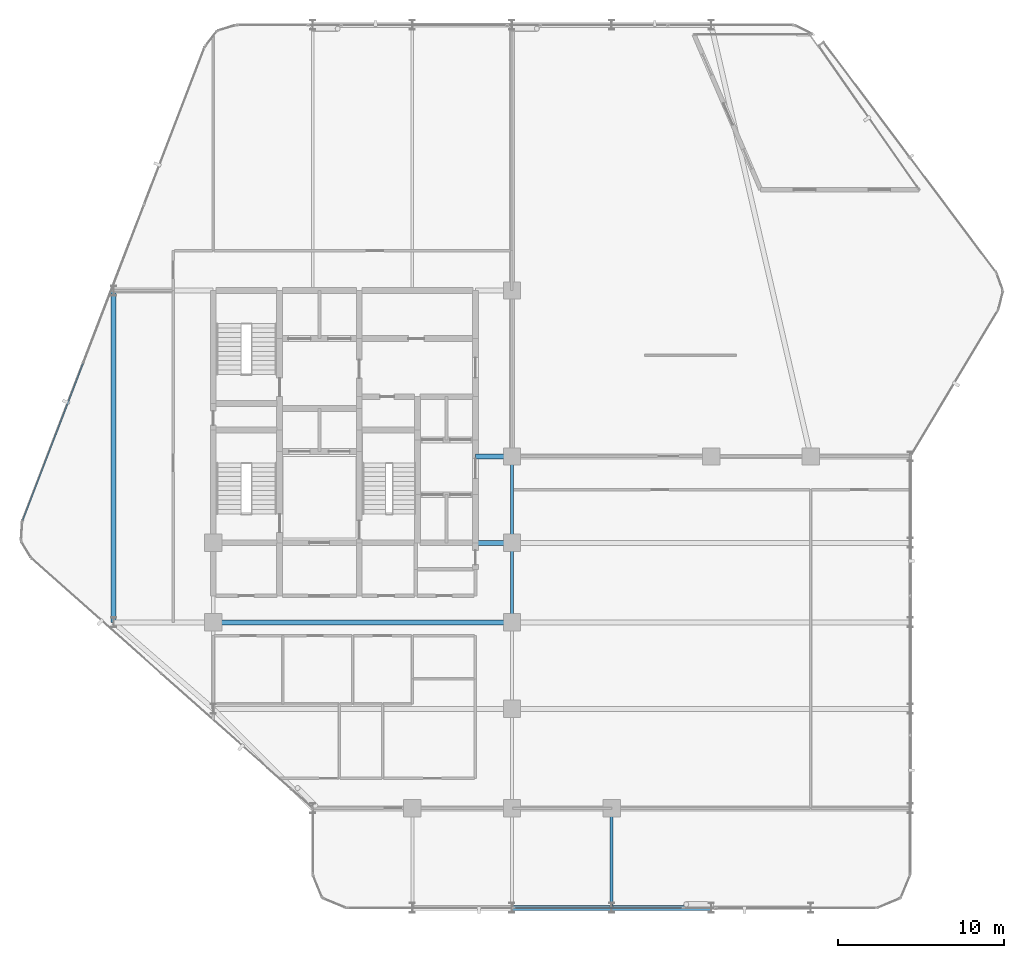
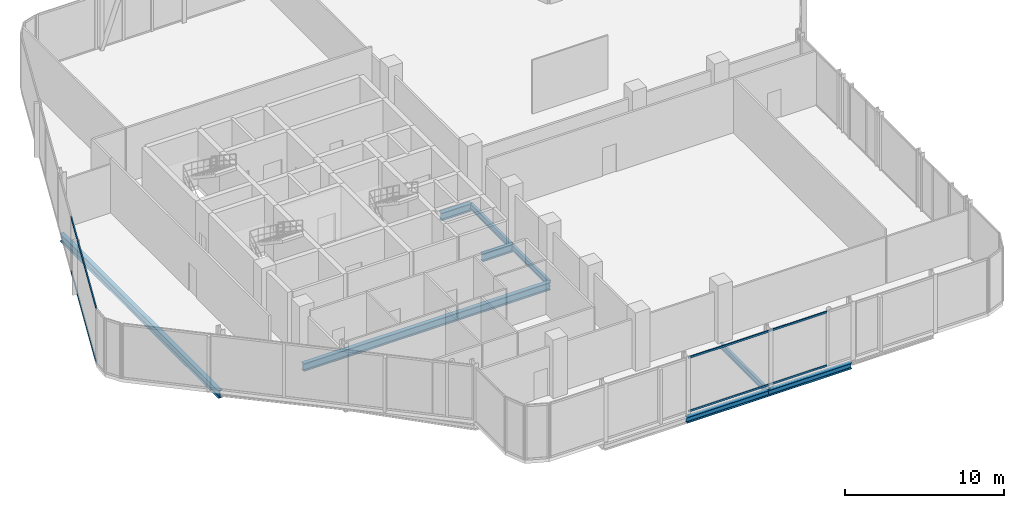
# One storey, part 7 of 31: 9 beams, 4 members, 2 elements without a shape of their own.
"""IFC4 building model written with IfcOpenShell, lengths in metres."""

from ifc_helpers import new_model, si_unit, direction, frame, origin, origin_2d, place, context, subcontext, project, spatial, hollow_rectangle, i_section, extrude, material, layer, layer_set, material_profile, profile_set, type_object, element, aggregate, save


model = new_model("IFC4")

# Units and contexts
model_context = context("Model", 3, precision=1e-05, world=origin(), true_north=direction((0.0, 1.0)))
body_context = subcontext(model_context, "Body", "Model", "MODEL_VIEW")
ifc_project = project(units=[si_unit("LENGTHUNIT", "METRE"), si_unit("AREAUNIT", "SQUARE_METRE"), si_unit("VOLUMEUNIT", "CUBIC_METRE"), si_unit("PLANEANGLEUNIT", "RADIAN"), si_unit("MASSUNIT", "GRAM", prefix="KILO")], contexts=[model_context])

# Site, building, storey
site_placement = place(None, origin())
site = spatial("IfcSite", under=ifc_project, at=site_placement, CompositionType="ELEMENT")
building_placement = place(site_placement, origin())
building = spatial("IfcBuilding", under=site, at=building_placement, Name="Keshet Zoharim Tower", CompositionType="ELEMENT")
storey_placement = place(building_placement, frame((0.0, 0.0, 125.300048828125)))
storey = spatial("IfcBuildingStorey", under=building, at=storey_placement, Name="L30", CompositionType="ELEMENT", Elevation=125.300048828125)

# Beams
ifc_material_1 = material(Name="Steel S355", Category="steel")
ifc_material_profile_1 = material_profile(ifc_material_1, i_section(OverallWidth=0.300048828125, OverallDepth=0.60009765625, WebThickness=0.015380859375, FlangeThickness=0.030029296875, FilletRadius=0.027099609375, at=origin_2d()), Name="HEB600")
ifc_profile_set_1 = profile_set([ifc_material_profile_1], Name="Steel S355")
beam_type_1 = type_object("IfcBeamType", Name="BM-CLK-HB600", PredefinedType="BEAM", material=ifc_profile_set_1)
for number, where, z_axis, x_axis, name in (
    (1, (30.800048828125, 22.699951171875, -0.6201171875), (1.0, 0.0, 0.0), (0.0, 1.0, 0.0), "L30 Core Wall Link Girder 01"),
    (2, (30.800048828125, 27.89990234375, -0.6201171875), (1.0, 0.0, 0.0), (0.0, 1.0, 0.0), "L30 Core Wall Link Girder 02"),
):
    element("IfcBeam", number, at=place(storey_placement, frame(where, z_axis=z_axis, x_axis=x_axis)), inside=storey, type_object=beam_type_1, Name=name, PredefinedType="BEAM", context=body_context, shape_type="SweptSolid", body=[
        extrude(i_section(OverallWidth=0.300048828125, OverallDepth=0.60009765625, WebThickness=0.015380859375, FlangeThickness=0.030029296875, FilletRadius=0.027099609375, at=origin_2d()), origin(), (0.0, 0.0, 1.0), 2.199951171875),
    ])
ifc_material_profile_2 = material_profile(ifc_material_1, i_section(OverallWidth=0.300048828125, OverallDepth=0.60009765625, WebThickness=0.015380859375, FlangeThickness=0.030029296875, FilletRadius=0.027099609375, at=origin_2d()), Name="HEB600")
ifc_profile_set_2 = profile_set([ifc_material_profile_2], Name="Steel S355")
beam_type_2 = type_object("IfcBeamType", Name="BM-LNG-HB600", PredefinedType="BEAM", material=ifc_profile_set_2)
beam_1_placement = place(storey_placement, frame((15.0, 17.89990234375, -0.6201171875), z_axis=(1.0, 0.0, 0.0), x_axis=(0.0, 1.0, 0.0)))
element("IfcBeam", 3, at=beam_1_placement, inside=storey, type_object=beam_type_2, Name="L30 Primary Girder X-012", PredefinedType="BEAM", context=body_context, shape_type="SweptSolid", body=[
    extrude(i_section(OverallWidth=0.300048828125, OverallDepth=0.60009765625, WebThickness=0.015380859375, FlangeThickness=0.030029296875, FilletRadius=0.027099609375, at=origin_2d()), origin(), (0.0, 0.0, 1.0), 18.0),
])
beam_2_placement = place(storey_placement, frame((9.0, 17.89990234375, -0.6201171875), z_axis=(0.0, 1.0, 0.0), x_axis=(-1.0, 0.0, 0.0)))
element("IfcBeam", 4, at=beam_2_placement, inside=storey, type_object=beam_type_2, Name="L30 Primary Girder Y-001", PredefinedType="BEAM", context=body_context, shape_type="SweptSolid", body=[
    extrude(i_section(OverallWidth=0.300048828125, OverallDepth=0.60009765625, WebThickness=0.015380859375, FlangeThickness=0.030029296875, FilletRadius=0.027099609375, at=origin_2d()), origin(), (0.0, 0.0, 1.0), 20.0),
])
ifc_material_profile_3 = material_profile(ifc_material_1, i_section(OverallWidth=0.18994140625, OverallDepth=0.449951171875, WebThickness=0.009521484375, FlangeThickness=0.0146484375, FilletRadius=0.02099609375, at=origin_2d()), Name="IPE450")
ifc_profile_set_3 = profile_set([ifc_material_profile_3], Name="Steel S355")
beam_type_3 = type_object("IfcBeamType", Name="BM-PRI-IP450", PredefinedType="BEAM", material=ifc_profile_set_3)
beam_3_placement = place(storey_placement, frame((33.0, 17.89990234375, -0.545166015625), z_axis=(0.0, 1.0, 0.0), x_axis=(-1.0, 0.0, 0.0)))
element("IfcBeam", 5, at=beam_3_placement, inside=storey, type_object=beam_type_3, Name="L30 Primary Girder Y-008", PredefinedType="BEAM", context=body_context, shape_type="SweptSolid", body=[
    extrude(i_section(OverallWidth=0.18994140625, OverallDepth=0.449951171875, WebThickness=0.009521484375, FlangeThickness=0.0146484375, FilletRadius=0.02099609375, at=origin_2d()), origin(), (0.0, 0.0, 1.0), 4.800048828125),
])
beam_4_placement = place(storey_placement, frame((33.0, 22.699951171875, -0.545166015625), z_axis=(0.0, 1.0, 0.0), x_axis=(-1.0, 0.0, 0.0)))
element("IfcBeam", 6, at=beam_4_placement, inside=storey, type_object=beam_type_3, Name="L30 Primary Girder Y-009", PredefinedType="BEAM", context=body_context, shape_type="SweptSolid", body=[
    extrude(i_section(OverallWidth=0.18994140625, OverallDepth=0.449951171875, WebThickness=0.009521484375, FlangeThickness=0.0146484375, FilletRadius=0.02099609375, at=origin_2d()), origin(), (0.0, 0.0, 1.0), 5.199951171875),
])
beam_5_placement = place(storey_placement, frame((39.0, 0.699951171875, -0.545166015625), z_axis=(0.0, 1.0, 0.0), x_axis=(-1.0, 0.0, 0.0)))
element("IfcBeam", 7, at=beam_5_placement, inside=storey, type_object=beam_type_3, Name="L30 Primary Girder Y-012", PredefinedType="BEAM", context=body_context, shape_type="SweptSolid", body=[
    extrude(i_section(OverallWidth=0.18994140625, OverallDepth=0.449951171875, WebThickness=0.009521484375, FlangeThickness=0.0146484375, FilletRadius=0.02099609375, at=origin_2d()), origin(), (0.0, 0.0, 1.0), 6.0),
])
ifc_material_profile_4 = material_profile(ifc_material_1, i_section(OverallWidth=0.300048828125, OverallDepth=0.449951171875, WebThickness=0.013916015625, FlangeThickness=0.02587890625, FilletRadius=0.027099609375, at=origin_2d()), Name="HEB450")
ifc_profile_set_4 = profile_set([ifc_material_profile_4], Name="Steel S355")
beam_type_4 = type_object("IfcBeamType", Name="BM-WEB-HB450", PredefinedType="BEAM", material=ifc_profile_set_4)
for number, where, z_axis, x_axis, name in (
    (8, (33.0, 0.699951171875, -0.545166015625), (1.0, 0.0, 0.0), (0.0, 1.0, 0.0), "L30 Primary Girder X-002"),
    (9, (39.0, 0.699951171875, -0.545166015625), (1.0, 0.0, 0.0), (0.0, 1.0, 0.0), "L30 Primary Girder X-003"),
):
    element("IfcBeam", number, at=place(storey_placement, frame(where, z_axis=z_axis, x_axis=x_axis)), inside=storey, type_object=beam_type_4, Name=name, PredefinedType="BEAM", context=body_context, shape_type="SweptSolid", body=[
        extrude(i_section(OverallWidth=0.300048828125, OverallDepth=0.449951171875, WebThickness=0.013916015625, FlangeThickness=0.02587890625, FilletRadius=0.027099609375, at=origin_2d()), origin(), (0.0, 0.0, 1.0), 6.0),
    ])

# Curtain wall, members
ifc_material_2 = material(Name="Aluminium 6063-T6", Category="aluminium")
ifc_layer = layer(ifc_material_2, 0.14990234375)
ifc_layer_set = layer_set([ifc_layer], Name="Aluminium 6063-T6")
curtain_wall_type = type_object("IfcCurtainWallType", Name="CW-SYS-04", PredefinedType="NOTDEFINED", material=ifc_layer_set)
curtain_wall_1_placement = place(storey_placement, origin())
curtain_wall_1 = element("IfcCurtainWall", 10, at=curtain_wall_1_placement, inside=storey, type_object=curtain_wall_type, Name="L30 Unitised Curtain Wall 09 Part 3", PredefinedType="NOTDEFINED")
ifc_material_profile_5 = material_profile(ifc_material_2, hollow_rectangle(XDim=0.080078125, YDim=0.139892578125, WallThickness=0.00390625, at=origin_2d()), Name="TRN-80x140")
ifc_profile_set_5 = profile_set([ifc_material_profile_5], Name="Aluminium 6063-T6")
member_type = type_object("IfcMemberType", Name="CWT-T14", PredefinedType="USERDEFINED", material=ifc_profile_set_5)
member_1_placement = place(storey_placement, frame((43.24755859375, 0.699951171875, 0.034912109375), z_axis=(-1.0, 0.0, 0.0), x_axis=(0.0, -1.0, 0.0)))
member_1 = element("IfcMember", 11, at=member_1_placement, type_object=member_type, Name="CW-04 transom 1.1", ObjectType="TRANSOM", PredefinedType="USERDEFINED", context=body_context, shape_type="SweptSolid", body=[
    extrude(hollow_rectangle(XDim=0.080078125, YDim=0.139892578125, WallThickness=0.00390625, at=origin_2d()), origin(), (0.0, 0.0, 1.0), 10.0888671875),
])
member_2_placement = place(storey_placement, frame((43.24755859375, 0.699951171875, 4.14990234375), z_axis=(-1.0, 0.0, 0.0), x_axis=(0.0, -1.0, 0.0)))
member_2 = element("IfcMember", 12, at=member_2_placement, type_object=member_type, Name="CW-04 transom 1.2", ObjectType="TRANSOM", PredefinedType="USERDEFINED", context=body_context, shape_type="SweptSolid", body=[
    extrude(hollow_rectangle(XDim=0.080078125, YDim=0.139892578125, WallThickness=0.00390625, at=origin_2d()), origin(), (0.0, 0.0, 1.0), 10.0888671875),
])
aggregate(curtain_wall_1, [member_1, member_2])

curtain_wall_2_placement = place(storey_placement, origin())
curtain_wall_2 = element("IfcCurtainWall", 13, at=curtain_wall_2_placement, inside=storey, type_object=curtain_wall_type, Name="L30 Unitised Curtain Wall 16", PredefinedType="NOTDEFINED")
member_3_placement = place(storey_placement, frame((3.522216796875, 24.058349609375, 0.034912109375), z_axis=(0.358993631387, 0.93334000912, 0.0), x_axis=(-0.93334000912, 0.358993631387, 0.0)))
member_3 = element("IfcMember", 14, at=member_3_placement, type_object=member_type, Name="CW-04 transom 1.1", ObjectType="TRANSOM", PredefinedType="USERDEFINED", context=body_context, shape_type="SweptSolid", body=[
    extrude(hollow_rectangle(XDim=0.080078125, YDim=0.139892578125, WallThickness=0.00390625, at=origin_2d()), origin(), (0.0, 0.0, 1.0), 10.1181640625),
])
member_4_placement = place(storey_placement, frame((3.522216796875, 24.058349609375, 4.14990234375), z_axis=(0.358993631387, 0.93334000912, 0.0), x_axis=(-0.93334000912, 0.358993631387, 0.0)))
member_4 = element("IfcMember", 15, at=member_4_placement, type_object=member_type, Name="CW-04 transom 1.2", ObjectType="TRANSOM", PredefinedType="USERDEFINED", context=body_context, shape_type="SweptSolid", body=[
    extrude(hollow_rectangle(XDim=0.080078125, YDim=0.139892578125, WallThickness=0.00390625, at=origin_2d()), origin(), (0.0, 0.0, 1.0), 10.1181640625),
])
aggregate(curtain_wall_2, [member_3, member_4])

save(model, "model.ifc")
